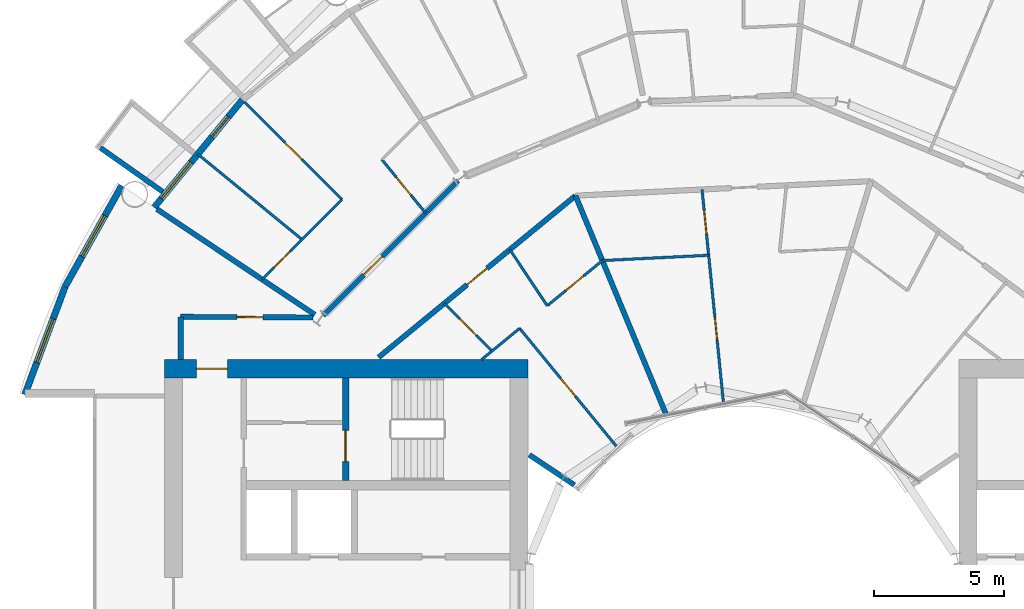
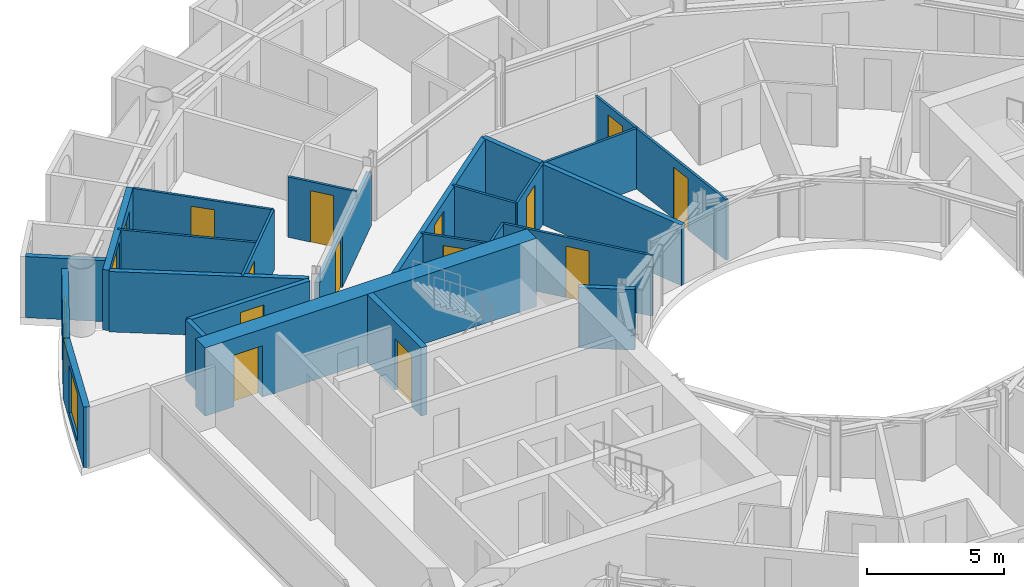
# One storey, part 18 of 26: 24 walls, 14 doors, 3 windows, 17 openings.
"""IFC4 building model written with IfcOpenShell, lengths in metres."""

from ifc_helpers import new_model, si_unit, direction, frame, frame_2d, origin, place, context, subcontext, project, spatial, rectangle, extrude, material, layer, layer_set, type_object, element, fill, save


model = new_model("IFC4")

# Units and contexts
model_context = context("Model", 3, precision=1e-05, world=origin(), true_north=direction((0.0, 1.0)))
body_context = subcontext(model_context, "Body", "Model", "MODEL_VIEW")
ifc_project = project(units=[si_unit("LENGTHUNIT", "METRE"), si_unit("AREAUNIT", "SQUARE_METRE"), si_unit("VOLUMEUNIT", "CUBIC_METRE"), si_unit("PLANEANGLEUNIT", "RADIAN"), si_unit("MASSUNIT", "GRAM", prefix="KILO")], contexts=[model_context])

# Site, building, storey
site_placement = place(None, origin())
site = spatial("IfcSite", under=ifc_project, at=site_placement, CompositionType="ELEMENT")
building_placement = place(site_placement, origin())
building = spatial("IfcBuilding", under=site, at=building_placement, Name="Maasbend Ring Residences", CompositionType="ELEMENT")
storey_placement = place(building_placement, frame((0.0, 0.0, 69.699951171875)))
storey = spatial("IfcBuildingStorey", under=building, at=storey_placement, Name="L19", CompositionType="ELEMENT", Elevation=69.699951171875)

# Wall, opening, door
ifc_material_1 = material(Name="Concrete C70/85", Category="concrete")
ifc_layer_1 = layer(ifc_material_1, 0.25)
ifc_layer_set_1 = layer_set([ifc_layer_1], Name="Concrete C70/85")
wall_type_1 = type_object("IfcWallType", Name="CORE WALL 250 C70/85", PredefinedType="SHEAR", material=ifc_layer_set_1)
wall_1_placement = place(storey_placement, frame((-15.324951171875, 8.60009765625, 0.0), z_axis=(0.0, 0.0, 1.0), x_axis=(0.0, -1.0, 0.0)))
wall_1 = element("IfcWall", 1, at=wall_1_placement, inside=storey, type_object=wall_type_1, Name="L19 core W wall STES", PredefinedType="SHEAR", context=body_context, shape_type="SweptSolid", body=[
    extrude(rectangle(XDim=3.9501953125, YDim=0.25, at=frame_2d((1.97509765625, 0.0))), origin(), (0.0, 0.0, 1.0), 3.050048828125),
])
opening_1_placement = place(wall_1_placement, frame((2.02490234375, 0.0, 0.0)))
opening_1 = element("IfcOpeningElement", 2, at=opening_1_placement, cuts=wall_1, Name="Opening D-W1909", PredefinedType="OPENING", context=body_context, shape_type="SweptSolid", body=[
    extrude(rectangle(XDim=1.199951171875, YDim=2.300048828125, at=frame_2d((0.60009765625, 1.14990234375))), frame((0.0, 0.135009765625, 0.0), z_axis=(0.0, -1.0, 0.0), x_axis=(1.0, 0.0, 0.0)), (0.0, 0.0, 1.0), 0.27001953125),
])
ifc_material_2 = material(Name="Steel, powder coated", Category="steel")
door_type_1 = type_object("IfcDoorType", Name="STAIR DOOR 1200 X 2300 FD60", OperationType="NOTDEFINED", PredefinedType="DOOR", material=ifc_material_2)
door_1_placement = place(opening_1_placement, origin())
door_1 = element("IfcDoor", 3, at=door_1_placement, inside=storey, type_object=door_type_1, Name="Stair door ST-W L19", OperationType="SINGLE_SWING_LEFT", OverallHeight=2.300048828125, OverallWidth=1.199951171875, PredefinedType="DOOR", context=body_context, shape_type="SweptSolid", body=[
    extrude(rectangle(XDim=1.199951171875, YDim=2.300048828125, at=frame_2d((0.60009765625, 1.14990234375))), frame((0.0, 0.02490234375, 0.0), z_axis=(0.0, -1.0, 0.0), x_axis=(1.0, 0.0, 0.0)), (0.0, 0.0, 1.0), 0.050048828125),
])
fill(opening_1, door_1)

ifc_material_3 = material(Name="Concrete C70/85", Category="concrete")
ifc_layer_2 = layer(ifc_material_3, 0.699951171875)
ifc_layer_set_2 = layer_set([ifc_layer_2], Name="Concrete C70/85")
wall_type_2 = type_object("IfcWallType", Name="CORE WALL 700 C70/85", PredefinedType="SHEAR", material=ifc_layer_set_2)
wall_2_placement = place(storey_placement, frame((-8.300048828125, 8.949951171875, 0.0), z_axis=(0.0, 0.0, 1.0), x_axis=(-1.0, 0.0, 0.0)))
wall_2 = element("IfcWall", 4, at=wall_2_placement, inside=storey, type_object=wall_type_2, Name="L19 core W wall PS", PredefinedType="SHEAR", context=body_context, shape_type="SweptSolid", body=[
    extrude(rectangle(XDim=14.0, YDim=0.699951171875, at=frame_2d((7.0, 0.0))), origin(), (0.0, 0.0, 1.0), 3.050048828125),
])
opening_2_placement = place(wall_2_placement, frame((11.574951171875, 0.0, 0.0)))
opening_2 = element("IfcOpeningElement", 5, at=opening_2_placement, cuts=wall_2, Name="Opening D-W1913", PredefinedType="OPENING", context=body_context, shape_type="SweptSolid", body=[
    extrude(rectangle(XDim=1.199951171875, YDim=2.300048828125, at=frame_2d((0.60009765625, 1.14990234375))), frame((0.0, 0.35986328125, 0.0), z_axis=(0.0, -1.0, 0.0), x_axis=(1.0, 0.0, 0.0)), (0.0, 0.0, 1.0), 0.719970703125),
])
ifc_material_4 = material(Name="Steel, powder coated", Category="steel")
door_type_2 = type_object("IfcDoorType", Name="CORRIDOR DOOR 1200 X 2300 FD30S", OperationType="NOTDEFINED", PredefinedType="DOOR", material=ifc_material_4)
door_2_placement = place(opening_2_placement, origin())
door_2 = element("IfcDoor", 6, at=door_2_placement, inside=storey, type_object=door_type_2, Name="Corridor door L19", OperationType="SINGLE_SWING_LEFT", OverallHeight=2.300048828125, OverallWidth=1.199951171875, PredefinedType="DOOR", context=body_context, shape_type="SweptSolid", body=[
    extrude(rectangle(XDim=1.199951171875, YDim=2.300048828125, at=frame_2d((0.60009765625, 1.14990234375))), frame((0.0, 0.02490234375, 0.0), z_axis=(0.0, -1.0, 0.0), x_axis=(1.0, 0.0, 0.0)), (0.0, 0.0, 1.0), 0.050048828125),
])
fill(opening_2, door_2)

ifc_material_5 = material(Name="Concrete C30/37", Category="concrete")
ifc_layer_3 = layer(ifc_material_5, 0.199951171875)
ifc_layer_set_3 = layer_set([ifc_layer_3], Name="Concrete C30/37")
wall_type_3 = type_object("IfcWallType", Name="CORRIDOR WALL 200 CONCRETE", PredefinedType="PARTITIONING", material=ifc_layer_set_3)
wall_3_placement = place(storey_placement, frame((-21.675048828125, 10.949951171875, 0.0), z_axis=(0.0, 0.0, 1.0), x_axis=(0.999988019025, -0.004895079807, 0.0)))
wall_3 = element("IfcWall", 7, at=wall_3_placement, inside=storey, type_object=wall_type_3, Name="U-L19-w087", PredefinedType="PARTITIONING", context=body_context, shape_type="SweptSolid", body=[
    extrude(rectangle(XDim=5.087158203125, YDim=0.199951171875, at=frame_2d((2.54345703125, 0.0))), origin(), (0.0, 0.0, 1.0), 2.699951171875),
])
opening_3_placement = place(wall_3_placement, frame((2.1630859375, 0.0, 0.0)))
opening_3 = element("IfcOpeningElement", 8, at=opening_3_placement, cuts=wall_3, Name="Opening D-1966", PredefinedType="OPENING", context=body_context, shape_type="SweptSolid", body=[
    extrude(rectangle(XDim=1.0, YDim=2.300048828125, at=frame_2d((0.5, 1.14990234375))), frame((0.0, 0.10986328125, 0.0), z_axis=(0.0, -1.0, 0.0), x_axis=(1.0, 0.0, 0.0)), (0.0, 0.0, 1.0), 0.219970703125),
])
ifc_material_6 = material(Name="Timber, painted", Category="wood")
door_type_3 = type_object("IfcDoorType", Name="ROOM DOOR 1000 X 2300", OperationType="NOTDEFINED", PredefinedType="DOOR", material=ifc_material_6)
door_3_placement = place(opening_3_placement, origin())
door_3 = element("IfcDoor", 9, at=door_3_placement, inside=storey, type_object=door_type_3, Name="D-1966", OperationType="SINGLE_SWING_RIGHT", OverallHeight=2.300048828125, OverallWidth=1.0, PredefinedType="DOOR", context=body_context, shape_type="SweptSolid", body=[
    extrude(rectangle(XDim=1.0, YDim=2.300048828125, at=frame_2d((0.5, 1.14990234375))), frame((0.0, 0.02490234375, 0.0), z_axis=(0.0, -1.0, 0.0), x_axis=(1.0, 0.0, 0.0)), (0.0, 0.0, 1.0), 0.050048828125),
])
fill(opening_3, door_3)

wall_4_placement = place(storey_placement, frame((-14.052001953125, 9.388916015625, 0.0), z_axis=(0.0, 0.0, 1.0), x_axis=(0.77292501819, 0.634497372931, 0.0)))
wall_4 = element("IfcWall", 10, at=wall_4_placement, inside=storey, type_object=wall_type_3, Name="U-L19-w097", PredefinedType="PARTITIONING", context=body_context, shape_type="SweptSolid", body=[
    extrude(rectangle(XDim=9.8095703125, YDim=0.199951171875, at=frame_2d((4.90478515625, 0.0))), origin(), (0.0, 0.0, 1.0), 2.699951171875),
])
opening_4_placement = place(wall_4_placement, frame((4.406005859375, 0.0, 0.0)))
opening_4 = element("IfcOpeningElement", 11, at=opening_4_placement, cuts=wall_4, Name="Opening D-1929", PredefinedType="OPENING", context=body_context, shape_type="SweptSolid", body=[
    extrude(rectangle(XDim=1.0, YDim=2.300048828125, at=frame_2d((0.5, 1.14990234375))), frame((0.0, 0.10986328125, 0.0), z_axis=(0.0, -1.0, 0.0), x_axis=(1.0, 0.0, 0.0)), (0.0, 0.0, 1.0), 0.219970703125),
])
ifc_material_7 = material(Name="Timber, fire-rated, painted", Category="wood")
door_type_4 = type_object("IfcDoorType", Name="FLAT ENTRANCE DOOR 1000 X 2300 FIRE-RATED", OperationType="NOTDEFINED", PredefinedType="DOOR", material=ifc_material_7)
door_4_placement = place(opening_4_placement, origin())
door_4 = element("IfcDoor", 12, at=door_4_placement, inside=storey, type_object=door_type_4, Name="D-1929", OperationType="SINGLE_SWING_RIGHT", OverallHeight=2.300048828125, OverallWidth=1.0, PredefinedType="DOOR", context=body_context, shape_type="SweptSolid", body=[
    extrude(rectangle(XDim=1.0, YDim=2.300048828125, at=frame_2d((0.5, 1.14990234375))), frame((0.0, 0.02490234375, 0.0), z_axis=(0.0, -1.0, 0.0), x_axis=(1.0, 0.0, 0.0)), (0.0, 0.0, 1.0), 0.050048828125),
])
fill(opening_4, door_4)

wall_5_placement = place(storey_placement, frame((-16.18603515625, 11.0, 0.0), z_axis=(0.0, 0.0, 1.0), x_axis=(0.707106781187, 0.707106781187, 0.0)))
wall_5 = element("IfcWall", 13, at=wall_5_placement, inside=storey, type_object=wall_type_3, Name="U-L19-w099", PredefinedType="PARTITIONING", context=body_context, shape_type="SweptSolid", body=[
    extrude(rectangle(XDim=7.334228515625, YDim=0.199951171875, at=frame_2d((3.6669921875, 0.0))), origin(), (0.0, 0.0, 1.0), 2.380126953125),
])
opening_5_placement = place(wall_5_placement, frame((2.2109375, 0.0, 0.0)))
opening_5 = element("IfcOpeningElement", 14, at=opening_5_placement, cuts=wall_5, Name="Opening D-1917", PredefinedType="OPENING", context=body_context, shape_type="SweptSolid", body=[
    extrude(rectangle(XDim=1.0, YDim=2.300048828125, at=frame_2d((0.5, 1.14990234375))), frame((0.0, 0.10986328125, 0.0), z_axis=(0.0, -1.0, 0.0), x_axis=(1.0, 0.0, 0.0)), (0.0, 0.0, 1.0), 0.219970703125),
])
door_5_placement = place(opening_5_placement, origin())
door_5 = element("IfcDoor", 15, at=door_5_placement, inside=storey, type_object=door_type_4, Name="D-1917", OperationType="SINGLE_SWING_LEFT", OverallHeight=2.300048828125, OverallWidth=1.0, PredefinedType="DOOR", context=body_context, shape_type="SweptSolid", body=[
    extrude(rectangle(XDim=1.0, YDim=2.300048828125, at=frame_2d((0.5, 1.14990234375))), frame((0.0, 0.02490234375, 0.0), z_axis=(0.0, -1.0, 0.0), x_axis=(1.0, 0.0, 0.0)), (0.0, 0.0, 1.0), 0.050048828125),
])
fill(opening_5, door_5)

# Walls
wall_6_placement = place(storey_placement, frame((-21.675048828125, 9.300048828125, 0.0), z_axis=(0.0, 0.0, 1.0), x_axis=(0.0, 1.0, 0.0)))
element("IfcWall", 16, at=wall_6_placement, inside=storey, type_object=wall_type_3, Name="U-L19-w106", PredefinedType="PARTITIONING", context=body_context, shape_type="SweptSolid", body=[
    extrude(rectangle(XDim=1.64990234375, YDim=0.199951171875, at=frame_2d((0.824951171875, 0.0))), origin(), (0.0, 0.0, 1.0), 2.699951171875),
])
ifc_material_8 = material(Name="Pale anodised aluminium panel", Category="aluminium")
ifc_layer_4 = layer(ifc_material_8, 0.199951171875)
ifc_layer_set_4 = layer_set([ifc_layer_4], Name="EW-BOX")
wall_type_4 = type_object("IfcWallType", Name="EW-BOX", PredefinedType="SOLIDWALL", material=ifc_layer_set_4)
wall_7_placement = place(storey_placement, frame((-22.3701171875, 15.764892578125, -0.030029296875), z_axis=(0.0, 0.0, 1.0), x_axis=(-0.817256123454, 0.576274612209, 0.0)))
element("IfcWall", 17, at=wall_7_placement, inside=storey, type_object=wall_type_4, Name="Box side wall N20 right", PredefinedType="SOLIDWALL", context=body_context, shape_type="SweptSolid", body=[
    extrude(rectangle(XDim=2.932861328125, YDim=0.199951171875, at=frame_2d((1.46630859375, 0.0))), origin(), (0.0, 0.0, 1.0), 2.72998046875),
])

# Wall, openings, door, window
ifc_material_9 = material(Name="Aluminium clad insulated panel", Category="aluminium")
ifc_layer_5 = layer(ifc_material_9, 0.25)
ifc_layer_set_5 = layer_set([ifc_layer_5], Name="EW-GL")
wall_type_5 = type_object("IfcWallType", Name="EW-GL", PredefinedType="SOLIDWALL", material=ifc_layer_set_5)
wall_8_placement = place(storey_placement, frame((-19.303955078125, 19.303955078125, 0.0), z_axis=(0.0, 0.0, 1.0), x_axis=(-0.634382322723, -0.773019449054, 0.0)))
wall_8 = element("IfcWall", 18, at=wall_8_placement, inside=storey, type_object=wall_type_5, Name="External wall N10", PredefinedType="SOLIDWALL", context=body_context, shape_type="SweptSolid", body=[
    extrude(rectangle(XDim=5.351806640625, YDim=0.25, at=frame_2d((2.67578125, 0.0))), origin(), (0.0, 0.0, 1.0), 2.699951171875),
])
opening_6_placement = place(wall_8_placement, frame((0.841064453125, 0.0, 0.0)))
opening_6 = element("IfcOpeningElement", 19, at=opening_6_placement, cuts=wall_8, Name="Opening D-LG", PredefinedType="OPENING", context=body_context, shape_type="SweptSolid", body=[
    extrude(rectangle(XDim=1.0, YDim=2.199951171875, at=frame_2d((0.5, 1.10009765625))), frame((0.0, 0.135009765625, 0.0), z_axis=(0.0, -1.0, 0.0), x_axis=(1.0, 0.0, 0.0)), (0.0, 0.0, 1.0), 0.27001953125),
])
opening_7_placement = place(wall_8_placement, frame((3.110595703125, 0.0, 0.300048828125)))
opening_7 = element("IfcOpeningElement", 20, at=opening_7_placement, cuts=wall_8, Name="Opening W-BX", PredefinedType="OPENING", context=body_context, shape_type="SweptSolid", body=[
    extrude(rectangle(XDim=1.800048828125, YDim=2.10009765625, at=frame_2d((0.89990234375, 1.050048828125))), frame((0.0, 0.135009765625, 0.0), z_axis=(0.0, -1.0, 0.0), x_axis=(1.0, 0.0, 0.0)), (0.0, 0.0, 1.0), 0.27001953125),
])
ifc_material_10 = material(Name="Aluminium and clear glass", Category="aluminium")
door_type_5 = type_object("IfcDoorType", Name="D-LG", OperationType="SINGLE_SWING_LEFT", PredefinedType="DOOR", material=ifc_material_10)
door_6_placement = place(opening_6_placement, origin())
door_6 = element("IfcDoor", 21, at=door_6_placement, inside=storey, type_object=door_type_5, Name="Loggia door N19", OperationType="SINGLE_SWING_LEFT", OverallHeight=2.199951171875, OverallWidth=1.0, PredefinedType="DOOR", context=body_context, shape_type="SweptSolid", body=[
    extrude(rectangle(XDim=1.0, YDim=2.199951171875, at=frame_2d((0.5, 1.10009765625))), frame((0.0, 0.02490234375, 0.0), z_axis=(0.0, -1.0, 0.0), x_axis=(1.0, 0.0, 0.0)), (0.0, 0.0, 1.0), 0.050048828125),
])
fill(opening_6, door_6)
ifc_material_11 = material(Name="Aluminium and clear glass", Category="aluminium")
window_type = type_object("IfcWindowType", Name="W-BX", PartitioningType="DOUBLE_PANEL_VERTICAL", PredefinedType="WINDOW", material=ifc_material_11)
window_1_placement = place(opening_7_placement, origin())
window_1 = element("IfcWindow", 22, at=window_1_placement, inside=storey, type_object=window_type, Name="Window N20 room to box", OverallHeight=2.10009765625, OverallWidth=1.800048828125, PartitioningType="SINGLE_PANEL", PredefinedType="WINDOW", context=body_context, shape_type="SweptSolid", body=[
    extrude(rectangle(XDim=1.800048828125, YDim=2.10009765625, at=frame_2d((0.89990234375, 1.050048828125))), frame((0.0, 0.030029296875, 0.0), z_axis=(0.0, -1.0, 0.0), x_axis=(1.0, 0.0, 0.0)), (0.0, 0.0, 1.0), 0.06005859375),
])
fill(opening_7, window_1)

# Wall, opening, window
ifc_material_12 = material(Name="Aluminium clad insulated panel", Category="aluminium")
ifc_layer_6 = layer(ifc_material_12, 0.25)
ifc_layer_set_6 = layer_set([ifc_layer_6], Name="EW-HORN")
wall_type_6 = type_object("IfcWallType", Name="EW-HORN", PredefinedType="SOLIDWALL", material=ifc_layer_set_6)
wall_9_placement = place(storey_placement, frame((-23.946044921875, 16.0, 0.0), z_axis=(0.0, 0.0, 1.0), x_axis=(-0.489696356642, -0.871893042919, 0.0)))
wall_9 = element("IfcWall", 23, at=wall_9_placement, inside=storey, type_object=wall_type_6, Name="Horn wall 4.1", PredefinedType="SOLIDWALL", context=body_context, shape_type="SweptSolid", body=[
    extrude(rectangle(XDim=4.45361328125, YDim=0.25, at=frame_2d((2.226806640625, 0.0))), origin(), (0.0, 0.0, 1.0), 2.699951171875),
])
opening_8_placement = place(wall_9_placement, frame((1.32666015625, 0.0, 0.300048828125)))
opening_8 = element("IfcOpeningElement", 24, at=opening_8_placement, cuts=wall_9, Name="Opening W-BX", PredefinedType="OPENING", context=body_context, shape_type="SweptSolid", body=[
    extrude(rectangle(XDim=1.800048828125, YDim=2.10009765625, at=frame_2d((0.89990234375, 1.050048828125))), frame((0.0, 0.135009765625, 0.0), z_axis=(0.0, -1.0, 0.0), x_axis=(1.0, 0.0, 0.0)), (0.0, 0.0, 1.0), 0.27001953125),
])
window_2_placement = place(opening_8_placement, origin())
window_2 = element("IfcWindow", 25, at=window_2_placement, inside=storey, type_object=window_type, Name="Horn window 4.1", OverallHeight=2.10009765625, OverallWidth=1.800048828125, PartitioningType="SINGLE_PANEL", PredefinedType="WINDOW", context=body_context, shape_type="SweptSolid", body=[
    extrude(rectangle(XDim=1.800048828125, YDim=2.10009765625, at=frame_2d((0.89990234375, 1.050048828125))), frame((0.0, 0.030029296875, 0.0), z_axis=(0.0, -1.0, 0.0), x_axis=(1.0, 0.0, 0.0)), (0.0, 0.0, 1.0), 0.06005859375),
])
fill(opening_8, window_2)

wall_10_placement = place(storey_placement, frame((-26.126953125, 12.116943359375, 0.0), z_axis=(0.0, 0.0, 1.0), x_axis=(-0.349247811493, -0.937030397675, 0.0)))
wall_10 = element("IfcWall", 26, at=wall_10_placement, inside=storey, type_object=wall_type_6, Name="Horn wall 4.2", PredefinedType="SOLIDWALL", context=body_context, shape_type="SweptSolid", body=[
    extrude(rectangle(XDim=4.4521484375, YDim=0.25, at=frame_2d((2.22607421875, 0.0))), origin(), (0.0, 0.0, 1.0), 2.699951171875),
])
opening_9_placement = place(wall_10_placement, frame((1.32666015625, 0.0, 0.300048828125)))
opening_9 = element("IfcOpeningElement", 27, at=opening_9_placement, cuts=wall_10, Name="Opening W-BX", PredefinedType="OPENING", context=body_context, shape_type="SweptSolid", body=[
    extrude(rectangle(XDim=1.800048828125, YDim=2.10009765625, at=frame_2d((0.89990234375, 1.050048828125))), frame((0.0, 0.135009765625, 0.0), z_axis=(0.0, -1.0, 0.0), x_axis=(1.0, 0.0, 0.0)), (0.0, 0.0, 1.0), 0.27001953125),
])
window_3_placement = place(opening_9_placement, origin())
window_3 = element("IfcWindow", 28, at=window_3_placement, inside=storey, type_object=window_type, Name="Horn window 4.2", OverallHeight=2.10009765625, OverallWidth=1.800048828125, PartitioningType="SINGLE_PANEL", PredefinedType="WINDOW", context=body_context, shape_type="SweptSolid", body=[
    extrude(rectangle(XDim=1.800048828125, YDim=2.10009765625, at=frame_2d((0.89990234375, 1.050048828125))), frame((0.0, 0.030029296875, 0.0), z_axis=(0.0, -1.0, 0.0), x_axis=(1.0, 0.0, 0.0)), (0.0, 0.0, 1.0), 0.06005859375),
])
fill(opening_9, window_3)

# Wall
ifc_material_13 = material(Name="Gypsum board on steel studs", Category="steel")
ifc_layer_7 = layer(ifc_material_13, 0.10009765625)
ifc_layer_set_7 = layer_set([ifc_layer_7], Name="PARTITION 100 GYPSUM")
wall_type_7 = type_object("IfcWallType", Name="PARTITION 100 GYPSUM", PredefinedType="PARTITIONING", material=ifc_layer_set_7)
wall_11_placement = place(storey_placement, frame((-21.02294921875, 17.219970703125, 0.0), z_axis=(0.0, 0.0, 1.0), x_axis=(0.773517471898, -0.633774976367, 0.0)))
element("IfcWall", 29, at=wall_11_placement, inside=storey, type_object=wall_type_7, Name="U-L19-w032", PredefinedType="PARTITIONING", context=body_context, shape_type="SweptSolid", body=[
    extrude(rectangle(XDim=5.19580078125, YDim=0.10009765625, at=frame_2d((2.597900390625, 0.0))), origin(), (0.0, 0.0, 1.0), 2.699951171875),
])

# Wall, opening, door
wall_12_placement = place(storey_placement, frame((-19.216064453125, 19.216064453125, 0.0), z_axis=(0.0, 0.0, 1.0), x_axis=(0.707106781187, -0.707106781187, 0.0)))
wall_12 = element("IfcWall", 30, at=wall_12_placement, inside=storey, type_object=wall_type_7, Name="U-L19-w033", PredefinedType="PARTITIONING", context=body_context, shape_type="SweptSolid", body=[
    extrude(rectangle(XDim=5.3046875, YDim=0.10009765625, at=frame_2d((2.65234375, 0.0))), origin(), (0.0, 0.0, 1.0), 2.699951171875),
])
opening_10_placement = place(wall_12_placement, frame((2.201904296875, 0.0, 0.0)))
opening_10 = element("IfcOpeningElement", 31, at=opening_10_placement, cuts=wall_12, Name="Opening D-1919", PredefinedType="OPENING", context=body_context, shape_type="SweptSolid", body=[
    extrude(rectangle(XDim=0.89990234375, YDim=2.300048828125, at=frame_2d((0.449951171875, 1.14990234375))), frame((0.0, 0.06005859375, 0.0), z_axis=(0.0, -1.0, 0.0), x_axis=(1.0, 0.0, 0.0)), (0.0, 0.0, 1.0), 0.1201171875),
])
ifc_material_14 = material(Name="Timber, painted", Category="wood")
door_type_6 = type_object("IfcDoorType", Name="INTERNAL DOOR 900 X 2300", OperationType="NOTDEFINED", PredefinedType="DOOR", material=ifc_material_14)
door_7_placement = place(opening_10_placement, origin())
door_7 = element("IfcDoor", 32, at=door_7_placement, inside=storey, type_object=door_type_6, Name="D-1919", OperationType="SINGLE_SWING_LEFT", OverallHeight=2.300048828125, OverallWidth=0.89990234375, PredefinedType="DOOR", context=body_context, shape_type="SweptSolid", body=[
    extrude(rectangle(XDim=0.89990234375, YDim=2.300048828125, at=frame_2d((0.449951171875, 1.14990234375))), frame((0.0, 0.02490234375, 0.0), z_axis=(0.0, -1.0, 0.0), x_axis=(1.0, 0.0, 0.0)), (0.0, 0.0, 1.0), 0.050048828125),
])
fill(opening_10, door_7)

wall_13_placement = place(storey_placement, frame((-13.927001953125, 17.00390625, 0.0), z_axis=(0.0, 0.0, 1.0), x_axis=(0.633582447834, -0.77367517848, 0.0)))
wall_13 = element("IfcWall", 33, at=wall_13_placement, inside=storey, type_object=wall_type_7, Name="U-L19-w038", PredefinedType="PARTITIONING", context=body_context, shape_type="SweptSolid", body=[
    extrude(rectangle(XDim=2.6611328125, YDim=0.10009765625, at=frame_2d((1.33056640625, 0.0))), origin(), (0.0, 0.0, 1.0), 2.699951171875),
])
opening_11_placement = place(wall_13_placement, frame((0.881103515625, 0.0, 0.0)))
opening_11 = element("IfcOpeningElement", 34, at=opening_11_placement, cuts=wall_13, Name="Opening D-1918", PredefinedType="OPENING", context=body_context, shape_type="SweptSolid", body=[
    extrude(rectangle(XDim=0.89990234375, YDim=2.300048828125, at=frame_2d((0.449951171875, 1.14990234375))), frame((0.0, 0.06005859375, 0.0), z_axis=(0.0, -1.0, 0.0), x_axis=(1.0, 0.0, 0.0)), (0.0, 0.0, 1.0), 0.1201171875),
])
door_8_placement = place(opening_11_placement, origin())
door_8 = element("IfcDoor", 35, at=door_8_placement, inside=storey, type_object=door_type_6, Name="D-1918", OperationType="SINGLE_SWING_RIGHT", OverallHeight=2.300048828125, OverallWidth=0.89990234375, PredefinedType="DOOR", context=body_context, shape_type="SweptSolid", body=[
    extrude(rectangle(XDim=0.89990234375, YDim=2.300048828125, at=frame_2d((0.449951171875, 1.14990234375))), frame((0.0, 0.02490234375, 0.0), z_axis=(0.0, -1.0, 0.0), x_axis=(1.0, 0.0, 0.0)), (0.0, 0.0, 1.0), 0.050048828125),
])
fill(opening_11, door_8)

wall_14_placement = place(storey_placement, frame((-11.52392578125, 11.464111328125, 0.0), z_axis=(0.0, 0.0, 1.0), x_axis=(0.708796844581, -0.705412668665, 0.0)))
wall_14 = element("IfcWall", 36, at=wall_14_placement, inside=storey, type_object=wall_type_7, Name="U-L19-w042", PredefinedType="PARTITIONING", context=body_context, shape_type="SweptSolid", body=[
    extrude(rectangle(XDim=2.59716796875, YDim=0.10009765625, at=frame_2d((1.298583984375, 0.0))), origin(), (0.0, 0.0, 1.0), 2.699951171875),
])
opening_12_placement = place(wall_14_placement, frame((0.84912109375, 0.0, 0.0)))
opening_12 = element("IfcOpeningElement", 37, at=opening_12_placement, cuts=wall_14, Name="Opening D-1931", PredefinedType="OPENING", context=body_context, shape_type="SweptSolid", body=[
    extrude(rectangle(XDim=0.89990234375, YDim=2.300048828125, at=frame_2d((0.449951171875, 1.14990234375))), frame((0.0, 0.06005859375, 0.0), z_axis=(0.0, -1.0, 0.0), x_axis=(1.0, 0.0, 0.0)), (0.0, 0.0, 1.0), 0.1201171875),
])
door_9_placement = place(opening_12_placement, origin())
door_9 = element("IfcDoor", 38, at=door_9_placement, inside=storey, type_object=door_type_6, Name="D-1931", OperationType="SINGLE_SWING_RIGHT", OverallHeight=2.300048828125, OverallWidth=0.89990234375, PredefinedType="DOOR", context=body_context, shape_type="SweptSolid", body=[
    extrude(rectangle(XDim=0.89990234375, YDim=2.300048828125, at=frame_2d((0.449951171875, 1.14990234375))), frame((0.0, 0.02490234375, 0.0), z_axis=(0.0, -1.0, 0.0), x_axis=(1.0, 0.0, 0.0)), (0.0, 0.0, 1.0), 0.050048828125),
])
fill(opening_12, door_9)

# Wall
wall_15_placement = place(storey_placement, frame((-8.99609375, 13.5390625, 0.0), z_axis=(0.0, 0.0, 1.0), x_axis=(0.553615197403, -0.83277260594, 0.0)))
element("IfcWall", 39, at=wall_15_placement, inside=storey, type_object=wall_type_7, Name="U-L19-w046", PredefinedType="PARTITIONING", context=body_context, shape_type="SweptSolid", body=[
    extrude(rectangle(XDim=2.597412109375, YDim=0.10009765625, at=frame_2d((1.298828125, 0.0))), origin(), (0.0, 0.0, 1.0), 2.699951171875),
])

# Wall, opening, door
wall_16_placement = place(storey_placement, frame((-8.6201171875, 10.50390625, 0.0), z_axis=(0.0, 0.0, 1.0), x_axis=(0.634358693064, -0.773038840249, 0.0)))
wall_16 = element("IfcWall", 40, at=wall_16_placement, inside=storey, type_object=wall_type_7, Name="U-L19-w048", PredefinedType="PARTITIONING", context=body_context, shape_type="SweptSolid", body=[
    extrude(rectangle(XDim=5.86767578125, YDim=0.10009765625, at=frame_2d((2.933837890625, 0.0))), origin(), (0.0, 0.0, 1.0), 2.699951171875),
])
opening_13_placement = place(wall_16_placement, frame((2.48388671875, 0.0, 0.0)))
opening_13 = element("IfcOpeningElement", 41, at=opening_13_placement, cuts=wall_16, Name="Opening D-1932", PredefinedType="OPENING", context=body_context, shape_type="SweptSolid", body=[
    extrude(rectangle(XDim=0.89990234375, YDim=2.300048828125, at=frame_2d((0.449951171875, 1.14990234375))), frame((0.0, 0.06005859375, 0.0), z_axis=(0.0, -1.0, 0.0), x_axis=(1.0, 0.0, 0.0)), (0.0, 0.0, 1.0), 0.1201171875),
])
door_10_placement = place(opening_13_placement, origin())
door_10 = element("IfcDoor", 42, at=door_10_placement, inside=storey, type_object=door_type_6, Name="D-1932", OperationType="SINGLE_SWING_RIGHT", OverallHeight=2.300048828125, OverallWidth=0.89990234375, PredefinedType="DOOR", context=body_context, shape_type="SweptSolid", body=[
    extrude(rectangle(XDim=0.89990234375, YDim=2.300048828125, at=frame_2d((0.449951171875, 1.14990234375))), frame((0.0, 0.02490234375, 0.0), z_axis=(0.0, -1.0, 0.0), x_axis=(1.0, 0.0, 0.0)), (0.0, 0.0, 1.0), 0.050048828125),
])
fill(opening_13, door_10)

# Wall, openings, doors
wall_17_placement = place(storey_placement, frame((-1.593017578125, 15.85302734375, 0.0), z_axis=(0.0, 0.0, 1.0), x_axis=(0.099730339513, -0.995014502096, 0.0)))
wall_17 = element("IfcWall", 43, at=wall_17_placement, inside=storey, type_object=wall_type_7, Name="U-L19-w058", PredefinedType="PARTITIONING", context=body_context, shape_type="SweptSolid", body=[
    extrude(rectangle(XDim=8.213134765625, YDim=0.10009765625, at=frame_2d((4.1064453125, 0.0))), origin(), (0.0, 0.0, 1.0), 2.699951171875),
])
opening_14_placement = place(wall_17_placement, frame((0.822998046875, 0.0, 0.0)))
opening_14 = element("IfcOpeningElement", 44, at=opening_14_placement, cuts=wall_17, Name="Opening D-1927", PredefinedType="OPENING", context=body_context, shape_type="SweptSolid", body=[
    extrude(rectangle(XDim=0.89990234375, YDim=2.300048828125, at=frame_2d((0.449951171875, 1.14990234375))), frame((0.0, 0.06005859375, 0.0), z_axis=(0.0, -1.0, 0.0), x_axis=(1.0, 0.0, 0.0)), (0.0, 0.0, 1.0), 0.1201171875),
])
opening_15_placement = place(wall_17_placement, frame((4.928955078125, 0.0, 0.0)))
opening_15 = element("IfcOpeningElement", 45, at=opening_15_placement, cuts=wall_17, Name="Opening D-1928", PredefinedType="OPENING", context=body_context, shape_type="SweptSolid", body=[
    extrude(rectangle(XDim=0.89990234375, YDim=2.300048828125, at=frame_2d((0.449951171875, 1.14990234375))), frame((0.0, 0.06005859375, 0.0), z_axis=(0.0, -1.0, 0.0), x_axis=(1.0, 0.0, 0.0)), (0.0, 0.0, 1.0), 0.1201171875),
])
door_11_placement = place(opening_14_placement, origin())
door_11 = element("IfcDoor", 46, at=door_11_placement, inside=storey, type_object=door_type_6, Name="D-1927", OperationType="SINGLE_SWING_LEFT", OverallHeight=2.300048828125, OverallWidth=0.89990234375, PredefinedType="DOOR", context=body_context, shape_type="SweptSolid", body=[
    extrude(rectangle(XDim=0.89990234375, YDim=2.300048828125, at=frame_2d((0.449951171875, 1.14990234375))), frame((0.0, 0.02490234375, 0.0), z_axis=(0.0, -1.0, 0.0), x_axis=(1.0, 0.0, 0.0)), (0.0, 0.0, 1.0), 0.050048828125),
])
fill(opening_14, door_11)
door_12_placement = place(opening_15_placement, origin())
door_12 = element("IfcDoor", 47, at=door_12_placement, inside=storey, type_object=door_type_6, Name="D-1928", OperationType="SINGLE_SWING_RIGHT", OverallHeight=2.300048828125, OverallWidth=0.89990234375, PredefinedType="DOOR", context=body_context, shape_type="SweptSolid", body=[
    extrude(rectangle(XDim=0.89990234375, YDim=2.300048828125, at=frame_2d((0.449951171875, 1.14990234375))), frame((0.0, 0.02490234375, 0.0), z_axis=(0.0, -1.0, 0.0), x_axis=(1.0, 0.0, 0.0)), (0.0, 0.0, 1.0), 0.050048828125),
])
fill(opening_15, door_12)

# Walls
wall_18_placement = place(storey_placement, frame((-5.43896484375, 13.115966796875, 0.0), z_axis=(0.0, 0.0, 1.0), x_axis=(0.998772010578, 0.049542616872, 0.0)))
element("IfcWall", 48, at=wall_18_placement, inside=storey, type_object=wall_type_7, Name="U-L19-w089", PredefinedType="PARTITIONING", context=body_context, shape_type="SweptSolid", body=[
    extrude(rectangle(XDim=4.10009765625, YDim=0.10009765625, at=frame_2d((2.050048828125, 0.0))), origin(), (0.0, 0.0, 1.0), 2.699951171875),
])
wall_19_placement = place(storey_placement, frame((-10.0869140625, 9.300048828125, 0.0), z_axis=(0.0, 0.0, 1.0), x_axis=(0.772957368531, 0.6344579627, 0.0)))
element("IfcWall", 49, at=wall_19_placement, inside=storey, type_object=wall_type_7, Name="U-L19-w093", PredefinedType="PARTITIONING", context=body_context, shape_type="SweptSolid", body=[
    extrude(rectangle(XDim=1.905517578125, YDim=0.10009765625, at=frame_2d((0.95263671875, 0.0))), origin(), (0.0, 0.0, 1.0), 2.699951171875),
])

# Wall, opening, door
wall_20_placement = place(storey_placement, frame((-7.552001953125, 11.37890625, 0.0), z_axis=(0.0, 0.0, 1.0), x_axis=(0.773323547924, 0.634011585246, 0.0)))
wall_20 = element("IfcWall", 50, at=wall_20_placement, inside=storey, type_object=wall_type_7, Name="U-L19-w094", PredefinedType="PARTITIONING", context=body_context, shape_type="SweptSolid", body=[
    extrude(rectangle(XDim=2.747802734375, YDim=0.10009765625, at=frame_2d((1.3740234375, 0.0))), origin(), (0.0, 0.0, 1.0), 2.699951171875),
])
opening_16_placement = place(wall_20_placement, frame((0.9169921875, 0.0, 0.0)))
opening_16 = element("IfcOpeningElement", 51, at=opening_16_placement, cuts=wall_20, Name="Opening D-1930", PredefinedType="OPENING", context=body_context, shape_type="SweptSolid", body=[
    extrude(rectangle(XDim=0.89990234375, YDim=2.300048828125, at=frame_2d((0.449951171875, 1.14990234375))), frame((0.0, 0.06005859375, 0.0), z_axis=(0.0, -1.0, 0.0), x_axis=(1.0, 0.0, 0.0)), (0.0, 0.0, 1.0), 0.1201171875),
])
door_13_placement = place(opening_16_placement, origin())
door_13 = element("IfcDoor", 52, at=door_13_placement, inside=storey, type_object=door_type_6, Name="D-1930", OperationType="SINGLE_SWING_LEFT", OverallHeight=2.300048828125, OverallWidth=0.89990234375, PredefinedType="DOOR", context=body_context, shape_type="SweptSolid", body=[
    extrude(rectangle(XDim=0.89990234375, YDim=2.300048828125, at=frame_2d((0.449951171875, 1.14990234375))), frame((0.0, 0.02490234375, 0.0), z_axis=(0.0, -1.0, 0.0), x_axis=(1.0, 0.0, 0.0)), (0.0, 0.0, 1.0), 0.050048828125),
])
fill(opening_16, door_13)

wall_21_placement = place(storey_placement, frame((-18.5419921875, 12.388916015625, 0.0), z_axis=(0.0, 0.0, 1.0), x_axis=(0.707190945535, 0.707022606819, 0.0)))
wall_21 = element("IfcWall", 53, at=wall_21_placement, inside=storey, type_object=wall_type_7, Name="U-L19-w107", PredefinedType="PARTITIONING", context=body_context, shape_type="SweptSolid", body=[
    extrude(rectangle(XDim=4.350830078125, YDim=0.10009765625, at=frame_2d((2.17529296875, 0.0))), origin(), (0.0, 0.0, 1.0), 2.699951171875),
])
opening_17_placement = place(wall_21_placement, frame((0.638916015625, 0.0, 0.0)))
opening_17 = element("IfcOpeningElement", 54, at=opening_17_placement, cuts=wall_21, Name="Opening D-1920", PredefinedType="OPENING", context=body_context, shape_type="SweptSolid", body=[
    extrude(rectangle(XDim=0.89990234375, YDim=2.300048828125, at=frame_2d((0.449951171875, 1.14990234375))), frame((0.0, 0.06005859375, 0.0), z_axis=(0.0, -1.0, 0.0), x_axis=(1.0, 0.0, 0.0)), (0.0, 0.0, 1.0), 0.1201171875),
])
door_14_placement = place(opening_17_placement, origin())
door_14 = element("IfcDoor", 55, at=door_14_placement, inside=storey, type_object=door_type_6, Name="D-1920", OperationType="SINGLE_SWING_LEFT", OverallHeight=2.300048828125, OverallWidth=0.89990234375, PredefinedType="DOOR", context=body_context, shape_type="SweptSolid", body=[
    extrude(rectangle(XDim=0.89990234375, YDim=2.300048828125, at=frame_2d((0.449951171875, 1.14990234375))), frame((0.0, 0.02490234375, 0.0), z_axis=(0.0, -1.0, 0.0), x_axis=(1.0, 0.0, 0.0)), (0.0, 0.0, 1.0), 0.050048828125),
])
fill(opening_17, door_14)

# Walls
ifc_material_15 = material(Name="Concrete C30/37", Category="concrete")
ifc_layer_8 = layer(ifc_material_15, 0.199951171875)
ifc_layer_set_8 = layer_set([ifc_layer_8], Name="Concrete C30/37")
wall_type_8 = type_object("IfcWallType", Name="PARTY WALL 200 CONCRETE", PredefinedType="PARTITIONING", material=ifc_layer_set_8)
wall_22_placement = place(storey_placement, frame((-22.594970703125, 15.097900390625, 0.0), z_axis=(0.0, 0.0, 1.0), x_axis=(0.831382022135, -0.555701298605, 0.0)))
element("IfcWall", 56, at=wall_22_placement, inside=storey, type_object=wall_type_8, Name="U-L19-w031", PredefinedType="PARTITIONING", context=body_context, shape_type="SweptSolid", body=[
    extrude(rectangle(XDim=7.313232421875, YDim=0.199951171875, at=frame_2d((3.65673828125, 0.0))), origin(), (0.0, 0.0, 1.0), 2.699951171875),
])
wall_23_placement = place(storey_placement, frame((-6.468017578125, 15.614013671875, 0.0), z_axis=(0.0, 0.0, 1.0), x_axis=(0.382646942224, -0.923894646378, 0.0)))
element("IfcWall", 57, at=wall_23_placement, inside=storey, type_object=wall_type_8, Name="U-L19-w050", PredefinedType="PARTITIONING", context=body_context, shape_type="SweptSolid", body=[
    extrude(rectangle(XDim=9.1806640625, YDim=0.199951171875, at=frame_2d((4.59033203125, 0.0))), origin(), (0.0, 0.0, 1.0), 2.699951171875),
])
wall_24_placement = place(storey_placement, frame((-6.512939453125, 4.471923828125, 0.0), z_axis=(0.0, 0.0, 1.0), x_axis=(-0.831382204863, 0.555701025225, 0.0)))
element("IfcWall", 58, at=wall_24_placement, inside=storey, type_object=wall_type_8, Name="U-L19-w085", PredefinedType="PARTITIONING", context=body_context, shape_type="SweptSolid", body=[
    extrude(rectangle(XDim=2.08203125, YDim=0.199951171875, at=frame_2d((1.041015625, 0.0))), origin(), (0.0, 0.0, 1.0), 2.699951171875),
])

save(model, "model.ifc")
